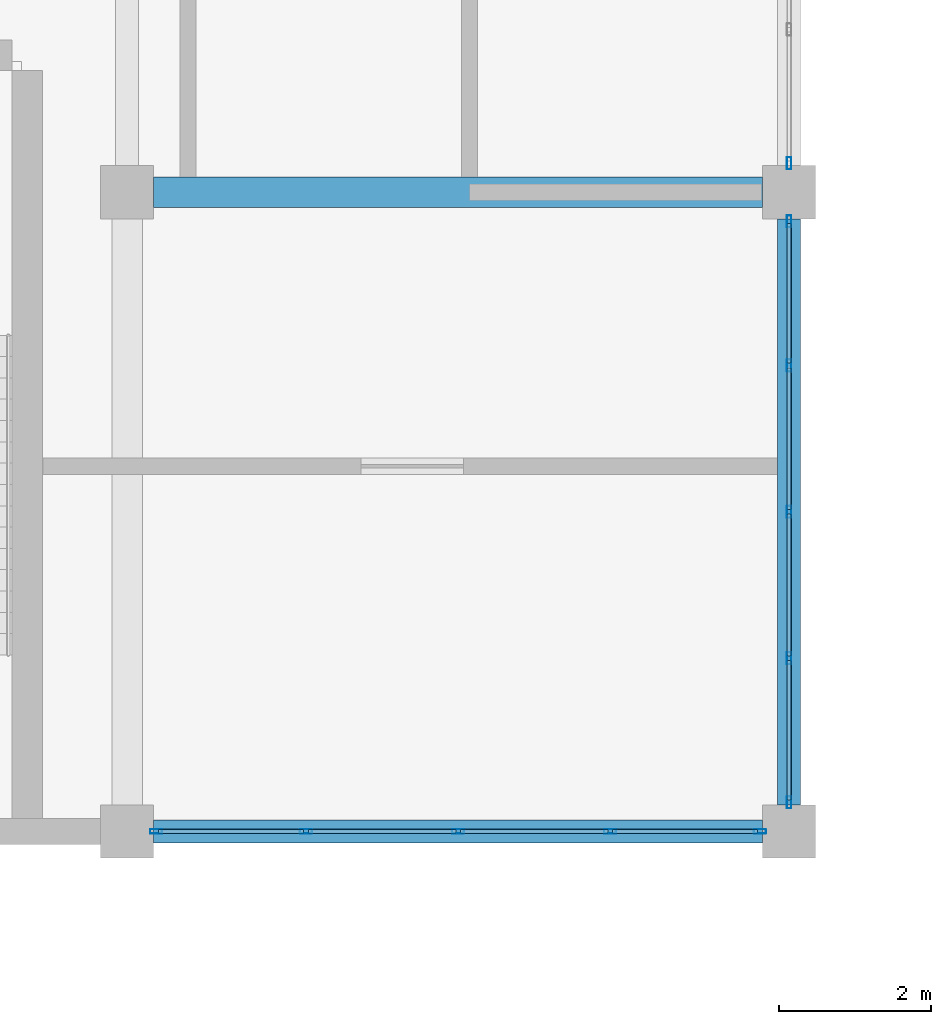
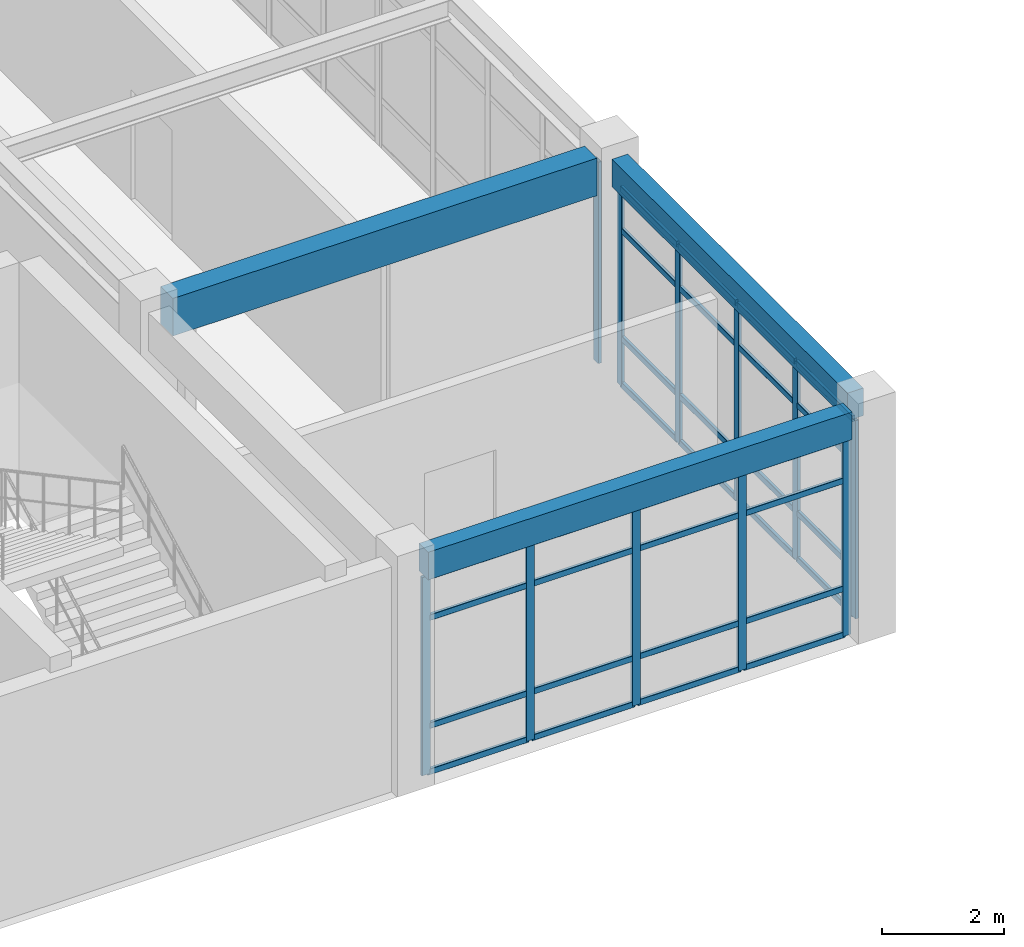
# One storey, part 28 of 76: 43 members, 3 beams, 3 elements without a shape of their own.
"""IFC4 building model written with IfcOpenShell, lengths in metres."""

import ifcopenshell
import ifcopenshell.guid

model = None  # the IFC model being written
_history = None  # IfcOwnerHistory: only IFC2X3 demands one
_inside = {}  # id of a spatial element -> (the spatial element, [elements in it])
_under = {}  # id of a project, library or spatial element -> (it, [spatial elements below it])
_declared = {}  # id of a project -> (the project, [libraries it declares])
_typed = {}  # id of a type object -> (the type object, [elements of that type])
_made_of = {}  # id of a material, layer set ... -> (it, [elements and type objects made of it])


def new_model(schema):
    """Start an empty IFC model of exactly this schema.

    Asked for "IFC4X3", IfcOpenShell would pick the latest addendum, in which some entities
    have other attributes; the version numbers below select the first issue.
    IFC2X3 requires an IfcOwnerHistory on every rooted entity: one is made here for all.
    """
    global model, _history
    if schema == "IFC4X3":
        model = ifcopenshell.file(schema_version=(4, 3, 0, 0))
    else:
        model = ifcopenshell.file(schema=schema)
    _inside.clear()
    _under.clear()
    _declared.clear()
    _typed.clear()
    _made_of.clear()
    _history = None
    if model.schema == "IFC2X3":
        org = make("IfcOrganization", Name="unknown")
        user = make(
            "IfcPersonAndOrganization",
            ThePerson=make("IfcPerson", FamilyName="unknown"),
            TheOrganization=org,
        )
        app = make(
            "IfcApplication",
            ApplicationDeveloper=org,
            Version="unknown",
            ApplicationFullName="unknown",
            ApplicationIdentifier="unknown",
        )
        _history = make(
            "IfcOwnerHistory",
            OwningUser=user,
            OwningApplication=app,
            ChangeAction="ADDED",
            CreationDate=0,
        )
    return model


def make(cls, **values):
    """One entity of the class cls with the attributes given. An attribute that is None is left unset."""
    return model.create_entity(
        cls, **{name: value for name, value in values.items() if value is not None}
    )


def rooted(cls, **values):
    """An entity with a GlobalId (a new one), such as an element, a storey or a relation."""
    return make(cls, GlobalId=ifcopenshell.guid.new(), OwnerHistory=_history, **values)


def si_unit(unit_type, name, prefix=None):
    """IfcSIUnit, for example si_unit("LENGTHUNIT", "METRE", prefix="MILLI")."""
    return make("IfcSIUnit", UnitType=unit_type, Prefix=prefix, Name=name)


def derived_unit(unit_type, elements):
    """IfcDerivedUnit: a product of units, each with its exponent."""
    return make(
        "IfcDerivedUnit",
        Elements=[
            make("IfcDerivedUnitElement", Unit=unit, Exponent=power)
            for unit, power in elements
        ],
        UnitType=unit_type,
    )


def assignment(units):
    """IfcUnitAssignment: the units of a project."""
    return None if units is None else make("IfcUnitAssignment", Units=units)


def point(xyz):
    """IfcCartesianPoint."""
    return None if xyz is None else make("IfcCartesianPoint", Coordinates=xyz)


def direction(xyz):
    """IfcDirection."""
    return None if xyz is None else make("IfcDirection", DirectionRatios=xyz)


def frame(location, z_axis=None, x_axis=None):
    """IfcAxis2Placement3D, a coordinate frame: its origin and axes. An axis left out is left unset."""
    return make(
        "IfcAxis2Placement3D",
        Location=point(location),
        Axis=direction(z_axis),
        RefDirection=direction(x_axis),
    )


def frame_2d(location, x_axis=None):
    """IfcAxis2Placement2D, a coordinate frame in the plane: its origin and x axis."""
    return make(
        "IfcAxis2Placement2D", Location=point(location), RefDirection=direction(x_axis)
    )


def origin():
    """The frame at (0, 0, 0) with its axes left unset."""
    return frame((0.0, 0.0, 0.0))


def origin_2d():
    """The frame at (0, 0) in the plane with its x axis left unset."""
    return frame_2d((0.0, 0.0))


def place(relative_to, where):
    """IfcLocalPlacement: puts the frame where relative to a parent placement (None: the world)."""
    return make(
        "IfcLocalPlacement", PlacementRelTo=relative_to, RelativePlacement=where
    )


def context(
    kind, dimensions, precision=None, world=None, true_north=None, identifier=None
):
    """IfcGeometricRepresentationContext, for example the 3D "Model" context."""
    return make(
        "IfcGeometricRepresentationContext",
        ContextIdentifier=identifier,
        ContextType=kind,
        CoordinateSpaceDimension=dimensions,
        Precision=precision,
        WorldCoordinateSystem=world,
        TrueNorth=true_north,
    )


def subcontext(parent, identifier, kind, view, scale=None):
    """IfcGeometricRepresentationSubContext, for example "Body" below "Model"."""
    return make(
        "IfcGeometricRepresentationSubContext",
        ContextIdentifier=identifier,
        ContextType=kind,
        ParentContext=parent,
        TargetScale=scale,
        TargetView=view,
    )


def project(units=None, contexts=None):
    """IfcProject with its units and contexts."""
    return rooted(
        "IfcProject",
        Name="project",
        RepresentationContexts=contexts,
        UnitsInContext=assignment(units),
    )


def spatial(cls, under=None, at=None, **own):
    """A site, building, storey or space (cls), placed at a placement, below another one or the project."""
    s = rooted(cls, ObjectPlacement=at, **own)
    if under is not None:
        _under.setdefault(under.id(), (under, []))[1].append(s)
    return s


def profile(cls, at=None, kind="AREA", **sizes):
    """A parametric profile (cls). Its sizes go by their IFC names, for example OverallWidth=200.0."""
    return make(cls, ProfileType=kind, Position=at, **sizes)


def rectangle(**sizes):
    """IfcRectangleProfileDef."""
    return profile("IfcRectangleProfileDef", **sizes)


def hollow_rectangle(**sizes):
    """IfcRectangleHollowProfileDef."""
    return profile("IfcRectangleHollowProfileDef", **sizes)


def extrude(swept, where, along, depth):
    """IfcExtrudedAreaSolid: the profile swept, set in the frame where, extruded along a direction by depth."""
    return make(
        "IfcExtrudedAreaSolid",
        SweptArea=swept,
        Position=where,
        ExtrudedDirection=direction(along),
        Depth=depth,
    )


def shape(context_of_items, identifier, shape_type, items):
    """IfcShapeRepresentation: the items that make up one representation, for example the "Body"."""
    return make(
        "IfcShapeRepresentation",
        ContextOfItems=context_of_items,
        RepresentationIdentifier=identifier,
        RepresentationType=shape_type,
        Items=items,
    )


def material(Name=None, Category=None):
    """IfcMaterial."""
    return make("IfcMaterial", Name=Name, Category=Category)


def layer(
    of_material, thickness, ventilated=None, Name=None, Category=None, Priority=None
):
    """IfcMaterialLayer: one layer of a wall or slab, of a material (None: an air gap)."""
    return make(
        "IfcMaterialLayer",
        Material=of_material,
        LayerThickness=thickness,
        IsVentilated=ventilated,
        Name=Name,
        Category=Category,
        Priority=Priority,
    )


def layer_set(layers, Name=None):
    """IfcMaterialLayerSet."""
    return make("IfcMaterialLayerSet", MaterialLayers=layers, LayerSetName=Name)


def material_profile(
    of_material, cross_section, Name=None, Category=None, Priority=None
):
    """IfcMaterialProfile: a cross section and its material."""
    return make(
        "IfcMaterialProfile",
        Name=Name,
        Material=of_material,
        Profile=cross_section,
        Priority=Priority,
        Category=Category,
    )


def profile_set(profiles, Name=None, composite=None):
    """IfcMaterialProfileSet."""
    return make(
        "IfcMaterialProfileSet",
        Name=Name,
        MaterialProfiles=profiles,
        CompositeProfile=composite,
    )


def made_of(thing, what):
    """Note that an element or type object is made of a material, layer set ...; save() writes the relation."""
    if what is not None:
        _made_of.setdefault(what.id(), (what, []))[1].append(thing)
    return thing


def type_object(cls, material=None, **own):
    """A type object (cls), such as IfcWallType, which elements share."""
    return made_of(rooted(cls, **own), material)


def element(
    cls,
    number,
    at=None,
    inside=None,
    cuts=None,
    type_object=None,
    material=None,
    context=None,
    identifier="Body",
    shape_type=None,
    held_by="IfcProductDefinitionShape",
    body=None,
    shapes=None,
    **own,
):
    """One element of the class cls, such as IfcWall. Its Tag is "e" and its number.

    at: its placement. inside: the storey or other place that contains it. cuts: it is an
    opening in that element (IfcRelVoidsElement). A single representation is given by context,
    identifier, shape_type and body (its items); several are given by shapes. held_by: the class
    of the entity that holds the representations. save() writes the other relations.
    """
    e = rooted(cls, Tag="e%d" % number, ObjectPlacement=at, **own)
    if body is not None:
        shapes = [shape(context, identifier, shape_type, body)]
    if shapes is not None:
        e.Representation = make(held_by, Representations=shapes)
    if inside is not None:
        _inside.setdefault(inside.id(), (inside, []))[1].append(e)
    if cuts is not None:
        rooted(
            "IfcRelVoidsElement", RelatingBuildingElement=cuts, RelatedOpeningElement=e
        )
    if type_object is not None:
        _typed.setdefault(type_object.id(), (type_object, []))[1].append(e)
    return made_of(e, material)


def aggregate(whole, parts):
    """IfcRelAggregates: a whole, such as a stair, and the parts it consists of."""
    return rooted("IfcRelAggregates", RelatingObject=whole, RelatedObjects=parts)


def save(model, path):
    """Write the relations noted so far, then the file.

    IfcRelAggregates (storeys below a building ...), IfcRelContainedInSpatialStructure (elements
    in a storey), IfcRelDefinesByType, IfcRelAssociatesMaterial and IfcRelDeclares: one each for
    every whole, place, type object, material and project.
    """
    for whole, parts in _under.values():
        aggregate(whole, parts)
    for where, things in _inside.values():
        rooted(
            "IfcRelContainedInSpatialStructure",
            RelatedElements=things,
            RelatingStructure=where,
        )
    for kind, things in _typed.values():
        rooted("IfcRelDefinesByType", RelatedObjects=things, RelatingType=kind)
    for what, things in _made_of.values():
        rooted("IfcRelAssociatesMaterial", RelatedObjects=things, RelatingMaterial=what)
    for by, libraries in _declared.values():
        rooted("IfcRelDeclares", RelatingContext=by, RelatedDefinitions=libraries)
    model.write(path)


model = new_model("IFC4")

# Units and contexts
model_context = context("Model", 3, precision=1e-05, world=origin(), true_north=direction((0.0, 1.0)))
body_context = subcontext(model_context, "Body", "Model", "MODEL_VIEW")
ifc_project = project(units=[si_unit("LENGTHUNIT", "METRE"), si_unit("AREAUNIT", "SQUARE_METRE"), si_unit("VOLUMEUNIT", "CUBIC_METRE"), si_unit("PLANEANGLEUNIT", "RADIAN"), si_unit("MASSUNIT", "GRAM", prefix="KILO"), derived_unit("THERMALTRANSMITTANCEUNIT", [(si_unit("MASSUNIT", "GRAM", prefix="KILO"), 1), (si_unit("TIMEUNIT", "SECOND"), -3), (si_unit("THERMODYNAMICTEMPERATUREUNIT", "KELVIN"), -1)])], contexts=[model_context])

# Site, building, storey
site_placement = place(None, origin())
site = spatial("IfcSite", under=ifc_project, at=site_placement, CompositionType="ELEMENT")
building_placement = place(site_placement, origin())
building = spatial("IfcBuilding", under=site, at=building_placement, Name="Qinzheling Arcade Emporium", CompositionType="ELEMENT")
storey_placement = place(building_placement, frame((0.0, 0.0, 26.699951171875)))
storey = spatial("IfcBuildingStorey", under=building, at=storey_placement, Name="L06", CompositionType="ELEMENT", Elevation=26.699951171875)

# Curtain wall, member
ifc_material_1 = material(Name="Anodised aluminium and solar-control double glazing", Category="aluminium")
ifc_layer = layer(ifc_material_1, 0.159912109375, Name="Anodised aluminium and solar-control double glazing", Category="aluminium")
ifc_layer_set = layer_set([ifc_layer], Name="Anodised aluminium and solar-control double glazing")
curtain_wall_type = type_object("IfcCurtainWallType", Name="Atrium Clerestory Curtain Wall", PredefinedType="NOTDEFINED", material=ifc_layer_set)
curtain_wall_1_placement = place(storey_placement, origin())
curtain_wall_1 = element("IfcCurtainWall", 1, at=curtain_wall_1_placement, inside=storey, type_object=curtain_wall_type, Name="Curtain Wall CW-L06-375", PredefinedType="NOTDEFINED")
ifc_material_2 = material(Name="Anodised aluminium 6063-T6", Category="aluminium")
ifc_material_profile_1 = material_profile(ifc_material_2, hollow_rectangle(XDim=0.06005859375, YDim=0.159912109375, WallThickness=0.00390625, InnerFilletRadius=0.00390625, OuterFilletRadius=0.008056640625, at=origin_2d()), Name="RHS 160x60x4", Category="aluminium")
ifc_profile_set_1 = profile_set([ifc_material_profile_1], Name="Anodised aluminium 6063-T6")
member_type_1 = type_object("IfcMemberType", Name="Curtain Wall Mullion RHS160x60", PredefinedType="MULLION", material=ifc_profile_set_1)
member_1_placement = place(storey_placement, frame((104.39990234375, 50.781982421875, 0.0), z_axis=(0.0, 0.0, 1.0), x_axis=(1.0, 0.0, 0.0)))
member_1 = element("IfcMember", 2, at=member_1_placement, type_object=member_type_1, Name="CW03 mullion 5", PredefinedType="MULLION", context=body_context, shape_type="SweptSolid", body=[
    extrude(hollow_rectangle(XDim=0.06005859375, YDim=0.159912109375, WallThickness=0.00390625, InnerFilletRadius=0.00390625, OuterFilletRadius=0.008056640625, at=origin_2d()), origin(), (0.0, 0.0, 1.0), 4.01708984375),
])
aggregate(curtain_wall_1, [member_1])

# Curtain wall, members
curtain_wall_2_placement = place(storey_placement, origin())
curtain_wall_2 = element("IfcCurtainWall", 3, at=curtain_wall_2_placement, inside=storey, type_object=curtain_wall_type, Name="Curtain Wall CW-L06-376", PredefinedType="NOTDEFINED")
member_2_placement = place(storey_placement, frame((104.39990234375, 50.01806640625, 0.0), z_axis=(0.0, 0.0, 1.0), x_axis=(1.0, 0.0, 0.0)))
member_2 = element("IfcMember", 4, at=member_2_placement, type_object=member_type_1, Name="CW03 mullion 1", PredefinedType="MULLION", context=body_context, shape_type="SweptSolid", body=[
    extrude(hollow_rectangle(XDim=0.06005859375, YDim=0.159912109375, WallThickness=0.00390625, InnerFilletRadius=0.00390625, OuterFilletRadius=0.008056640625, at=origin_2d()), origin(), (0.0, 0.0, 1.0), 3.955078125),
])
member_3_placement = place(storey_placement, frame((104.39990234375, 48.1240234375, 0.0), z_axis=(0.0, 0.0, 1.0), x_axis=(1.0, 0.0, 0.0)))
member_3 = element("IfcMember", 5, at=member_3_placement, type_object=member_type_1, Name="CW03 mullion 2", PredefinedType="MULLION", context=body_context, shape_type="SweptSolid", body=[
    extrude(hollow_rectangle(XDim=0.06005859375, YDim=0.159912109375, WallThickness=0.00390625, InnerFilletRadius=0.00390625, OuterFilletRadius=0.008056640625, at=origin_2d()), origin(), (0.0, 0.0, 1.0), 3.955078125),
])
member_4_placement = place(storey_placement, frame((104.39990234375, 46.199951171875, 0.0), z_axis=(0.0, 0.0, 1.0), x_axis=(1.0, 0.0, 0.0)))
member_4 = element("IfcMember", 6, at=member_4_placement, type_object=member_type_1, Name="CW03 mullion 3", PredefinedType="MULLION", context=body_context, shape_type="SweptSolid", body=[
    extrude(hollow_rectangle(XDim=0.06005859375, YDim=0.159912109375, WallThickness=0.00390625, InnerFilletRadius=0.00390625, OuterFilletRadius=0.008056640625, at=origin_2d()), origin(), (0.0, 0.0, 1.0), 3.955078125),
])
member_5_placement = place(storey_placement, frame((104.39990234375, 44.27587890625, 0.0), z_axis=(0.0, 0.0, 1.0), x_axis=(1.0, 0.0, 0.0)))
member_5 = element("IfcMember", 7, at=member_5_placement, type_object=member_type_1, Name="CW03 mullion 4", PredefinedType="MULLION", context=body_context, shape_type="SweptSolid", body=[
    extrude(hollow_rectangle(XDim=0.06005859375, YDim=0.159912109375, WallThickness=0.00390625, InnerFilletRadius=0.00390625, OuterFilletRadius=0.008056640625, at=origin_2d()), origin(), (0.0, 0.0, 1.0), 3.955078125),
])
member_6_placement = place(storey_placement, frame((104.39990234375, 42.382080078125, 0.0), z_axis=(0.0, 0.0, 1.0), x_axis=(1.0, 0.0, 0.0)))
member_6 = element("IfcMember", 8, at=member_6_placement, type_object=member_type_1, Name="CW03 mullion 5", PredefinedType="MULLION", context=body_context, shape_type="SweptSolid", body=[
    extrude(hollow_rectangle(XDim=0.06005859375, YDim=0.159912109375, WallThickness=0.00390625, InnerFilletRadius=0.00390625, OuterFilletRadius=0.008056640625, at=origin_2d()), origin(), (0.0, 0.0, 1.0), 3.955078125),
])

curtain_wall_3_placement = place(storey_placement, origin())
curtain_wall_3 = element("IfcCurtainWall", 9, at=curtain_wall_3_placement, inside=storey, type_object=curtain_wall_type, Name="Curtain Wall CW-L06-377", PredefinedType="NOTDEFINED")
member_7_placement = place(storey_placement, frame((104.01806640625, 42.0, 0.0), z_axis=(0.0, 0.0, 1.0), x_axis=(0.0, -1.0, 0.0)))
member_7 = element("IfcMember", 10, at=member_7_placement, type_object=member_type_1, Name="CW03 mullion 1", PredefinedType="MULLION", context=body_context, shape_type="SweptSolid", body=[
    extrude(hollow_rectangle(XDim=0.06005859375, YDim=0.159912109375, WallThickness=0.00390625, InnerFilletRadius=0.00390625, OuterFilletRadius=0.008056640625, at=origin_2d()), origin(), (0.0, 0.0, 1.0), 3.955078125),
])
member_8_placement = place(storey_placement, frame((102.049072265625, 42.0, 0.0), z_axis=(0.0, 0.0, 1.0), x_axis=(0.0, -1.0, 0.0)))
member_8 = element("IfcMember", 11, at=member_8_placement, type_object=member_type_1, Name="CW03 mullion 2", PredefinedType="MULLION", context=body_context, shape_type="SweptSolid", body=[
    extrude(hollow_rectangle(XDim=0.06005859375, YDim=0.159912109375, WallThickness=0.00390625, InnerFilletRadius=0.00390625, OuterFilletRadius=0.008056640625, at=origin_2d()), origin(), (0.0, 0.0, 1.0), 3.955078125),
])
member_9_placement = place(storey_placement, frame((100.050048828125, 42.0, 0.0), z_axis=(0.0, 0.0, 1.0), x_axis=(0.0, -1.0, 0.0)))
member_9 = element("IfcMember", 12, at=member_9_placement, type_object=member_type_1, Name="CW03 mullion 3", PredefinedType="MULLION", context=body_context, shape_type="SweptSolid", body=[
    extrude(hollow_rectangle(XDim=0.06005859375, YDim=0.159912109375, WallThickness=0.00390625, InnerFilletRadius=0.00390625, OuterFilletRadius=0.008056640625, at=origin_2d()), origin(), (0.0, 0.0, 1.0), 3.955078125),
])
member_10_placement = place(storey_placement, frame((98.051025390625, 42.0, 0.0), z_axis=(0.0, 0.0, 1.0), x_axis=(0.0, -1.0, 0.0)))
member_10 = element("IfcMember", 13, at=member_10_placement, type_object=member_type_1, Name="CW03 mullion 4", PredefinedType="MULLION", context=body_context, shape_type="SweptSolid", body=[
    extrude(hollow_rectangle(XDim=0.06005859375, YDim=0.159912109375, WallThickness=0.00390625, InnerFilletRadius=0.00390625, OuterFilletRadius=0.008056640625, at=origin_2d()), origin(), (0.0, 0.0, 1.0), 3.955078125),
])
member_11_placement = place(storey_placement, frame((96.08203125, 42.0, 0.0), z_axis=(0.0, 0.0, 1.0), x_axis=(0.0, -1.0, 0.0)))
member_11 = element("IfcMember", 14, at=member_11_placement, type_object=member_type_1, Name="CW03 mullion 5", PredefinedType="MULLION", context=body_context, shape_type="SweptSolid", body=[
    extrude(hollow_rectangle(XDim=0.06005859375, YDim=0.159912109375, WallThickness=0.00390625, InnerFilletRadius=0.00390625, OuterFilletRadius=0.008056640625, at=origin_2d()), origin(), (0.0, 0.0, 1.0), 3.955078125),
])

# Member
ifc_material_profile_2 = material_profile(ifc_material_2, hollow_rectangle(XDim=0.06005859375, YDim=0.1201171875, WallThickness=0.00390625, InnerFilletRadius=0.00390625, OuterFilletRadius=0.008056640625, at=origin_2d()), Name="RHS 120x60x4", Category="aluminium")
ifc_profile_set_2 = profile_set([ifc_material_profile_2], Name="Anodised aluminium 6063-T6")
member_type_2 = type_object("IfcMemberType", Name="Curtain Wall Transom RHS120x60", PredefinedType="USERDEFINED", material=ifc_profile_set_2)
member_12_placement = place(storey_placement, frame((104.39990234375, 49.988037109375, 0.030029296875), z_axis=(0.0, -1.0, 0.0), x_axis=(1.0, 0.0, 0.0)))
member_12 = element("IfcMember", 15, at=member_12_placement, type_object=member_type_2, Name="CW03 transom 1.1", ObjectType="TRANSOM", PredefinedType="USERDEFINED", context=body_context, shape_type="SweptSolid", body=[
    extrude(hollow_rectangle(XDim=0.06005859375, YDim=0.1201171875, WallThickness=0.00390625, InnerFilletRadius=0.00390625, OuterFilletRadius=0.008056640625, at=origin_2d()), origin(), (0.0, 0.0, 1.0), 1.833984375),
])

member_13_placement = place(storey_placement, frame((104.39990234375, 49.988037109375, 0.949951171875), z_axis=(0.0, -1.0, 0.0), x_axis=(1.0, 0.0, 0.0)))
member_13 = element("IfcMember", 16, at=member_13_placement, type_object=member_type_2, Name="CW03 transom 1.2", ObjectType="TRANSOM", PredefinedType="USERDEFINED", context=body_context, shape_type="SweptSolid", body=[
    extrude(hollow_rectangle(XDim=0.06005859375, YDim=0.1201171875, WallThickness=0.00390625, InnerFilletRadius=0.00390625, OuterFilletRadius=0.008056640625, at=origin_2d()), origin(), (0.0, 0.0, 1.0), 1.833984375),
])

member_14_placement = place(storey_placement, frame((104.39990234375, 49.988037109375, 3.10498046875), z_axis=(0.0, -1.0, 0.0), x_axis=(1.0, 0.0, 0.0)))
member_14 = element("IfcMember", 17, at=member_14_placement, type_object=member_type_2, Name="CW03 transom 1.3", ObjectType="TRANSOM", PredefinedType="USERDEFINED", context=body_context, shape_type="SweptSolid", body=[
    extrude(hollow_rectangle(XDim=0.06005859375, YDim=0.1201171875, WallThickness=0.00390625, InnerFilletRadius=0.00390625, OuterFilletRadius=0.008056640625, at=origin_2d()), origin(), (0.0, 0.0, 1.0), 1.833984375),
])

member_15_placement = place(storey_placement, frame((104.39990234375, 49.988037109375, 3.925048828125), z_axis=(0.0, -1.0, 0.0), x_axis=(1.0, 0.0, 0.0)))
member_15 = element("IfcMember", 18, at=member_15_placement, type_object=member_type_2, Name="CW03 transom 1.4", ObjectType="TRANSOM", PredefinedType="USERDEFINED", context=body_context, shape_type="SweptSolid", body=[
    extrude(hollow_rectangle(XDim=0.06005859375, YDim=0.1201171875, WallThickness=0.00390625, InnerFilletRadius=0.00390625, OuterFilletRadius=0.008056640625, at=origin_2d()), origin(), (0.0, 0.0, 1.0), 1.833984375),
])

member_16_placement = place(storey_placement, frame((104.39990234375, 48.093994140625, 0.030029296875), z_axis=(0.0, -1.0, 0.0), x_axis=(1.0, 0.0, 0.0)))
member_16 = element("IfcMember", 19, at=member_16_placement, type_object=member_type_2, Name="CW03 transom 2.1", ObjectType="TRANSOM", PredefinedType="USERDEFINED", context=body_context, shape_type="SweptSolid", body=[
    extrude(hollow_rectangle(XDim=0.06005859375, YDim=0.1201171875, WallThickness=0.00390625, InnerFilletRadius=0.00390625, OuterFilletRadius=0.008056640625, at=origin_2d()), origin(), (0.0, 0.0, 1.0), 1.864013671875),
])

member_17_placement = place(storey_placement, frame((104.39990234375, 48.093994140625, 0.949951171875), z_axis=(0.0, -1.0, 0.0), x_axis=(1.0, 0.0, 0.0)))
member_17 = element("IfcMember", 20, at=member_17_placement, type_object=member_type_2, Name="CW03 transom 2.2", ObjectType="TRANSOM", PredefinedType="USERDEFINED", context=body_context, shape_type="SweptSolid", body=[
    extrude(hollow_rectangle(XDim=0.06005859375, YDim=0.1201171875, WallThickness=0.00390625, InnerFilletRadius=0.00390625, OuterFilletRadius=0.008056640625, at=origin_2d()), origin(), (0.0, 0.0, 1.0), 1.864013671875),
])

member_18_placement = place(storey_placement, frame((104.39990234375, 48.093994140625, 3.10498046875), z_axis=(0.0, -1.0, 0.0), x_axis=(1.0, 0.0, 0.0)))
member_18 = element("IfcMember", 21, at=member_18_placement, type_object=member_type_2, Name="CW03 transom 2.3", ObjectType="TRANSOM", PredefinedType="USERDEFINED", context=body_context, shape_type="SweptSolid", body=[
    extrude(hollow_rectangle(XDim=0.06005859375, YDim=0.1201171875, WallThickness=0.00390625, InnerFilletRadius=0.00390625, OuterFilletRadius=0.008056640625, at=origin_2d()), origin(), (0.0, 0.0, 1.0), 1.864013671875),
])

member_19_placement = place(storey_placement, frame((104.39990234375, 48.093994140625, 3.925048828125), z_axis=(0.0, -1.0, 0.0), x_axis=(1.0, 0.0, 0.0)))
member_19 = element("IfcMember", 22, at=member_19_placement, type_object=member_type_2, Name="CW03 transom 2.4", ObjectType="TRANSOM", PredefinedType="USERDEFINED", context=body_context, shape_type="SweptSolid", body=[
    extrude(hollow_rectangle(XDim=0.06005859375, YDim=0.1201171875, WallThickness=0.00390625, InnerFilletRadius=0.00390625, OuterFilletRadius=0.008056640625, at=origin_2d()), origin(), (0.0, 0.0, 1.0), 1.864013671875),
])

member_20_placement = place(storey_placement, frame((104.39990234375, 46.169921875, 0.030029296875), z_axis=(0.0, -1.0, 0.0), x_axis=(1.0, 0.0, 0.0)))
member_20 = element("IfcMember", 23, at=member_20_placement, type_object=member_type_2, Name="CW03 transom 3.1", ObjectType="TRANSOM", PredefinedType="USERDEFINED", context=body_context, shape_type="SweptSolid", body=[
    extrude(hollow_rectangle(XDim=0.06005859375, YDim=0.1201171875, WallThickness=0.00390625, InnerFilletRadius=0.00390625, OuterFilletRadius=0.008056640625, at=origin_2d()), origin(), (0.0, 0.0, 1.0), 1.864013671875),
])

member_21_placement = place(storey_placement, frame((104.39990234375, 46.169921875, 0.949951171875), z_axis=(0.0, -1.0, 0.0), x_axis=(1.0, 0.0, 0.0)))
member_21 = element("IfcMember", 24, at=member_21_placement, type_object=member_type_2, Name="CW03 transom 3.2", ObjectType="TRANSOM", PredefinedType="USERDEFINED", context=body_context, shape_type="SweptSolid", body=[
    extrude(hollow_rectangle(XDim=0.06005859375, YDim=0.1201171875, WallThickness=0.00390625, InnerFilletRadius=0.00390625, OuterFilletRadius=0.008056640625, at=origin_2d()), origin(), (0.0, 0.0, 1.0), 1.864013671875),
])

member_22_placement = place(storey_placement, frame((104.39990234375, 46.169921875, 3.10498046875), z_axis=(0.0, -1.0, 0.0), x_axis=(1.0, 0.0, 0.0)))
member_22 = element("IfcMember", 25, at=member_22_placement, type_object=member_type_2, Name="CW03 transom 3.3", ObjectType="TRANSOM", PredefinedType="USERDEFINED", context=body_context, shape_type="SweptSolid", body=[
    extrude(hollow_rectangle(XDim=0.06005859375, YDim=0.1201171875, WallThickness=0.00390625, InnerFilletRadius=0.00390625, OuterFilletRadius=0.008056640625, at=origin_2d()), origin(), (0.0, 0.0, 1.0), 1.864013671875),
])

member_23_placement = place(storey_placement, frame((104.39990234375, 46.169921875, 3.925048828125), z_axis=(0.0, -1.0, 0.0), x_axis=(1.0, 0.0, 0.0)))
member_23 = element("IfcMember", 26, at=member_23_placement, type_object=member_type_2, Name="CW03 transom 3.4", ObjectType="TRANSOM", PredefinedType="USERDEFINED", context=body_context, shape_type="SweptSolid", body=[
    extrude(hollow_rectangle(XDim=0.06005859375, YDim=0.1201171875, WallThickness=0.00390625, InnerFilletRadius=0.00390625, OuterFilletRadius=0.008056640625, at=origin_2d()), origin(), (0.0, 0.0, 1.0), 1.864013671875),
])

member_24_placement = place(storey_placement, frame((104.39990234375, 44.24609375, 0.030029296875), z_axis=(0.0, -1.0, 0.0), x_axis=(1.0, 0.0, 0.0)))
member_24 = element("IfcMember", 27, at=member_24_placement, type_object=member_type_2, Name="CW03 transom 4.1", ObjectType="TRANSOM", PredefinedType="USERDEFINED", context=body_context, shape_type="SweptSolid", body=[
    extrude(hollow_rectangle(XDim=0.06005859375, YDim=0.1201171875, WallThickness=0.00390625, InnerFilletRadius=0.00390625, OuterFilletRadius=0.008056640625, at=origin_2d()), origin(), (0.0, 0.0, 1.0), 1.833984375),
])

member_25_placement = place(storey_placement, frame((104.39990234375, 44.24609375, 0.949951171875), z_axis=(0.0, -1.0, 0.0), x_axis=(1.0, 0.0, 0.0)))
member_25 = element("IfcMember", 28, at=member_25_placement, type_object=member_type_2, Name="CW03 transom 4.2", ObjectType="TRANSOM", PredefinedType="USERDEFINED", context=body_context, shape_type="SweptSolid", body=[
    extrude(hollow_rectangle(XDim=0.06005859375, YDim=0.1201171875, WallThickness=0.00390625, InnerFilletRadius=0.00390625, OuterFilletRadius=0.008056640625, at=origin_2d()), origin(), (0.0, 0.0, 1.0), 1.833984375),
])

member_26_placement = place(storey_placement, frame((104.39990234375, 44.24609375, 3.10498046875), z_axis=(0.0, -1.0, 0.0), x_axis=(1.0, 0.0, 0.0)))
member_26 = element("IfcMember", 29, at=member_26_placement, type_object=member_type_2, Name="CW03 transom 4.3", ObjectType="TRANSOM", PredefinedType="USERDEFINED", context=body_context, shape_type="SweptSolid", body=[
    extrude(hollow_rectangle(XDim=0.06005859375, YDim=0.1201171875, WallThickness=0.00390625, InnerFilletRadius=0.00390625, OuterFilletRadius=0.008056640625, at=origin_2d()), origin(), (0.0, 0.0, 1.0), 1.833984375),
])

member_27_placement = place(storey_placement, frame((104.39990234375, 44.24609375, 3.925048828125), z_axis=(0.0, -1.0, 0.0), x_axis=(1.0, 0.0, 0.0)))
member_27 = element("IfcMember", 30, at=member_27_placement, type_object=member_type_2, Name="CW03 transom 4.4", ObjectType="TRANSOM", PredefinedType="USERDEFINED", context=body_context, shape_type="SweptSolid", body=[
    extrude(hollow_rectangle(XDim=0.06005859375, YDim=0.1201171875, WallThickness=0.00390625, InnerFilletRadius=0.00390625, OuterFilletRadius=0.008056640625, at=origin_2d()), origin(), (0.0, 0.0, 1.0), 1.833984375),
])

aggregate(curtain_wall_2, [member_2, member_3, member_4, member_5, member_6, member_12, member_13, member_14, member_15, member_16, member_17, member_18, member_19, member_20, member_21, member_22, member_23, member_24, member_25, member_26, member_27])

member_28_placement = place(storey_placement, frame((103.988037109375, 42.0, 0.030029296875), z_axis=(-1.0, 0.0, 0.0), x_axis=(0.0, -1.0, 0.0)))
member_28 = element("IfcMember", 31, at=member_28_placement, type_object=member_type_2, Name="CW03 transom 1.1", ObjectType="TRANSOM", PredefinedType="USERDEFINED", context=body_context, shape_type="SweptSolid", body=[
    extrude(hollow_rectangle(XDim=0.06005859375, YDim=0.1201171875, WallThickness=0.00390625, InnerFilletRadius=0.00390625, OuterFilletRadius=0.008056640625, at=origin_2d()), origin(), (0.0, 0.0, 1.0), 1.908935546875),
])

member_29_placement = place(storey_placement, frame((103.988037109375, 42.0, 0.949951171875), z_axis=(-1.0, 0.0, 0.0), x_axis=(0.0, -1.0, 0.0)))
member_29 = element("IfcMember", 32, at=member_29_placement, type_object=member_type_2, Name="CW03 transom 1.2", ObjectType="TRANSOM", PredefinedType="USERDEFINED", context=body_context, shape_type="SweptSolid", body=[
    extrude(hollow_rectangle(XDim=0.06005859375, YDim=0.1201171875, WallThickness=0.00390625, InnerFilletRadius=0.00390625, OuterFilletRadius=0.008056640625, at=origin_2d()), origin(), (0.0, 0.0, 1.0), 1.908935546875),
])

member_30_placement = place(storey_placement, frame((103.988037109375, 42.0, 3.10498046875), z_axis=(-1.0, 0.0, 0.0), x_axis=(0.0, -1.0, 0.0)))
member_30 = element("IfcMember", 33, at=member_30_placement, type_object=member_type_2, Name="CW03 transom 1.3", ObjectType="TRANSOM", PredefinedType="USERDEFINED", context=body_context, shape_type="SweptSolid", body=[
    extrude(hollow_rectangle(XDim=0.06005859375, YDim=0.1201171875, WallThickness=0.00390625, InnerFilletRadius=0.00390625, OuterFilletRadius=0.008056640625, at=origin_2d()), origin(), (0.0, 0.0, 1.0), 1.908935546875),
])

member_31_placement = place(storey_placement, frame((103.988037109375, 42.0, 3.925048828125), z_axis=(-1.0, 0.0, 0.0), x_axis=(0.0, -1.0, 0.0)))
member_31 = element("IfcMember", 34, at=member_31_placement, type_object=member_type_2, Name="CW03 transom 1.4", ObjectType="TRANSOM", PredefinedType="USERDEFINED", context=body_context, shape_type="SweptSolid", body=[
    extrude(hollow_rectangle(XDim=0.06005859375, YDim=0.1201171875, WallThickness=0.00390625, InnerFilletRadius=0.00390625, OuterFilletRadius=0.008056640625, at=origin_2d()), origin(), (0.0, 0.0, 1.0), 1.908935546875),
])

member_32_placement = place(storey_placement, frame((102.01904296875, 42.0, 0.030029296875), z_axis=(-1.0, 0.0, 0.0), x_axis=(0.0, -1.0, 0.0)))
member_32 = element("IfcMember", 35, at=member_32_placement, type_object=member_type_2, Name="CW03 transom 2.1", ObjectType="TRANSOM", PredefinedType="USERDEFINED", context=body_context, shape_type="SweptSolid", body=[
    extrude(hollow_rectangle(XDim=0.06005859375, YDim=0.1201171875, WallThickness=0.00390625, InnerFilletRadius=0.00390625, OuterFilletRadius=0.008056640625, at=origin_2d()), origin(), (0.0, 0.0, 1.0), 1.93896484375),
])

member_33_placement = place(storey_placement, frame((102.01904296875, 42.0, 0.949951171875), z_axis=(-1.0, 0.0, 0.0), x_axis=(0.0, -1.0, 0.0)))
member_33 = element("IfcMember", 36, at=member_33_placement, type_object=member_type_2, Name="CW03 transom 2.2", ObjectType="TRANSOM", PredefinedType="USERDEFINED", context=body_context, shape_type="SweptSolid", body=[
    extrude(hollow_rectangle(XDim=0.06005859375, YDim=0.1201171875, WallThickness=0.00390625, InnerFilletRadius=0.00390625, OuterFilletRadius=0.008056640625, at=origin_2d()), origin(), (0.0, 0.0, 1.0), 1.93896484375),
])

member_34_placement = place(storey_placement, frame((102.01904296875, 42.0, 3.10498046875), z_axis=(-1.0, 0.0, 0.0), x_axis=(0.0, -1.0, 0.0)))
member_34 = element("IfcMember", 37, at=member_34_placement, type_object=member_type_2, Name="CW03 transom 2.3", ObjectType="TRANSOM", PredefinedType="USERDEFINED", context=body_context, shape_type="SweptSolid", body=[
    extrude(hollow_rectangle(XDim=0.06005859375, YDim=0.1201171875, WallThickness=0.00390625, InnerFilletRadius=0.00390625, OuterFilletRadius=0.008056640625, at=origin_2d()), origin(), (0.0, 0.0, 1.0), 1.93896484375),
])

member_35_placement = place(storey_placement, frame((102.01904296875, 42.0, 3.925048828125), z_axis=(-1.0, 0.0, 0.0), x_axis=(0.0, -1.0, 0.0)))
member_35 = element("IfcMember", 38, at=member_35_placement, type_object=member_type_2, Name="CW03 transom 2.4", ObjectType="TRANSOM", PredefinedType="USERDEFINED", context=body_context, shape_type="SweptSolid", body=[
    extrude(hollow_rectangle(XDim=0.06005859375, YDim=0.1201171875, WallThickness=0.00390625, InnerFilletRadius=0.00390625, OuterFilletRadius=0.008056640625, at=origin_2d()), origin(), (0.0, 0.0, 1.0), 1.93896484375),
])

member_36_placement = place(storey_placement, frame((100.02001953125, 42.0, 0.030029296875), z_axis=(-1.0, 0.0, 0.0), x_axis=(0.0, -1.0, 0.0)))
member_36 = element("IfcMember", 39, at=member_36_placement, type_object=member_type_2, Name="CW03 transom 3.1", ObjectType="TRANSOM", PredefinedType="USERDEFINED", context=body_context, shape_type="SweptSolid", body=[
    extrude(hollow_rectangle(XDim=0.06005859375, YDim=0.1201171875, WallThickness=0.00390625, InnerFilletRadius=0.00390625, OuterFilletRadius=0.008056640625, at=origin_2d()), origin(), (0.0, 0.0, 1.0), 1.93896484375),
])

member_37_placement = place(storey_placement, frame((100.02001953125, 42.0, 0.949951171875), z_axis=(-1.0, 0.0, 0.0), x_axis=(0.0, -1.0, 0.0)))
member_37 = element("IfcMember", 40, at=member_37_placement, type_object=member_type_2, Name="CW03 transom 3.2", ObjectType="TRANSOM", PredefinedType="USERDEFINED", context=body_context, shape_type="SweptSolid", body=[
    extrude(hollow_rectangle(XDim=0.06005859375, YDim=0.1201171875, WallThickness=0.00390625, InnerFilletRadius=0.00390625, OuterFilletRadius=0.008056640625, at=origin_2d()), origin(), (0.0, 0.0, 1.0), 1.93896484375),
])

member_38_placement = place(storey_placement, frame((100.02001953125, 42.0, 3.10498046875), z_axis=(-1.0, 0.0, 0.0), x_axis=(0.0, -1.0, 0.0)))
member_38 = element("IfcMember", 41, at=member_38_placement, type_object=member_type_2, Name="CW03 transom 3.3", ObjectType="TRANSOM", PredefinedType="USERDEFINED", context=body_context, shape_type="SweptSolid", body=[
    extrude(hollow_rectangle(XDim=0.06005859375, YDim=0.1201171875, WallThickness=0.00390625, InnerFilletRadius=0.00390625, OuterFilletRadius=0.008056640625, at=origin_2d()), origin(), (0.0, 0.0, 1.0), 1.93896484375),
])

member_39_placement = place(storey_placement, frame((100.02001953125, 42.0, 3.925048828125), z_axis=(-1.0, 0.0, 0.0), x_axis=(0.0, -1.0, 0.0)))
member_39 = element("IfcMember", 42, at=member_39_placement, type_object=member_type_2, Name="CW03 transom 3.4", ObjectType="TRANSOM", PredefinedType="USERDEFINED", context=body_context, shape_type="SweptSolid", body=[
    extrude(hollow_rectangle(XDim=0.06005859375, YDim=0.1201171875, WallThickness=0.00390625, InnerFilletRadius=0.00390625, OuterFilletRadius=0.008056640625, at=origin_2d()), origin(), (0.0, 0.0, 1.0), 1.93896484375),
])

member_40_placement = place(storey_placement, frame((98.02099609375, 42.0, 0.030029296875), z_axis=(-1.0, 0.0, 0.0), x_axis=(0.0, -1.0, 0.0)))
member_40 = element("IfcMember", 43, at=member_40_placement, type_object=member_type_2, Name="CW03 transom 4.1", ObjectType="TRANSOM", PredefinedType="USERDEFINED", context=body_context, shape_type="SweptSolid", body=[
    extrude(hollow_rectangle(XDim=0.06005859375, YDim=0.1201171875, WallThickness=0.00390625, InnerFilletRadius=0.00390625, OuterFilletRadius=0.008056640625, at=origin_2d()), origin(), (0.0, 0.0, 1.0), 1.908935546875),
])

member_41_placement = place(storey_placement, frame((98.02099609375, 42.0, 0.949951171875), z_axis=(-1.0, 0.0, 0.0), x_axis=(0.0, -1.0, 0.0)))
member_41 = element("IfcMember", 44, at=member_41_placement, type_object=member_type_2, Name="CW03 transom 4.2", ObjectType="TRANSOM", PredefinedType="USERDEFINED", context=body_context, shape_type="SweptSolid", body=[
    extrude(hollow_rectangle(XDim=0.06005859375, YDim=0.1201171875, WallThickness=0.00390625, InnerFilletRadius=0.00390625, OuterFilletRadius=0.008056640625, at=origin_2d()), origin(), (0.0, 0.0, 1.0), 1.908935546875),
])

member_42_placement = place(storey_placement, frame((98.02099609375, 42.0, 3.10498046875), z_axis=(-1.0, 0.0, 0.0), x_axis=(0.0, -1.0, 0.0)))
member_42 = element("IfcMember", 45, at=member_42_placement, type_object=member_type_2, Name="CW03 transom 4.3", ObjectType="TRANSOM", PredefinedType="USERDEFINED", context=body_context, shape_type="SweptSolid", body=[
    extrude(hollow_rectangle(XDim=0.06005859375, YDim=0.1201171875, WallThickness=0.00390625, InnerFilletRadius=0.00390625, OuterFilletRadius=0.008056640625, at=origin_2d()), origin(), (0.0, 0.0, 1.0), 1.908935546875),
])

member_43_placement = place(storey_placement, frame((98.02099609375, 42.0, 3.925048828125), z_axis=(-1.0, 0.0, 0.0), x_axis=(0.0, -1.0, 0.0)))
member_43 = element("IfcMember", 46, at=member_43_placement, type_object=member_type_2, Name="CW03 transom 4.4", ObjectType="TRANSOM", PredefinedType="USERDEFINED", context=body_context, shape_type="SweptSolid", body=[
    extrude(hollow_rectangle(XDim=0.06005859375, YDim=0.1201171875, WallThickness=0.00390625, InnerFilletRadius=0.00390625, OuterFilletRadius=0.008056640625, at=origin_2d()), origin(), (0.0, 0.0, 1.0), 1.908935546875),
])

aggregate(curtain_wall_3, [member_7, member_8, member_9, member_10, member_11, member_28, member_29, member_30, member_31, member_32, member_33, member_34, member_35, member_36, member_37, member_38, member_39, member_40, member_41, member_42, member_43])

# Beams
ifc_material_3 = material(Name="Concrete C40", Category="concrete")
ifc_material_profile_3 = material_profile(ifc_material_3, rectangle(XDim=0.39990234375, YDim=0.75, at=origin_2d()), Name="RC 400x750", Category="concrete")
ifc_profile_set_3 = profile_set([ifc_material_profile_3], Name="Concrete C40")
beam_type_1 = type_object("IfcBeamType", Name="RC Interior Tie Beam 400x750 C40", PredefinedType="BEAM", material=ifc_profile_set_3)
beam_1_placement = place(storey_placement, frame((96.050048828125, 50.39990234375, 4.14501953125), z_axis=(1.0, 0.0, 0.0), x_axis=(0.0, 1.0, 0.0)))
element("IfcBeam", 47, at=beam_1_placement, inside=storey, type_object=beam_type_1, Name="Beam BM-L06-X-G-12", PredefinedType="BEAM", context=body_context, shape_type="SweptSolid", body=[
    extrude(rectangle(XDim=0.39990234375, YDim=0.75, at=origin_2d()), origin(), (0.0, 0.0, 1.0), 8.0),
])
ifc_material_profile_4 = material_profile(ifc_material_3, rectangle(XDim=0.300048828125, YDim=0.550048828125, at=origin_2d()), Name="RC 300x550", Category="concrete")
ifc_profile_set_4 = profile_set([ifc_material_profile_4], Name="Concrete C40")
beam_type_2 = type_object("IfcBeamType", Name="RC Terrace Spandrel Beam 300x550 C40", PredefinedType="SPANDREL", material=ifc_profile_set_4)
beam_2_placement = place(storey_placement, frame((96.050048828125, 42.0, 4.2451171875), z_axis=(1.0, 0.0, 0.0), x_axis=(0.0, 1.0, 0.0)))
element("IfcBeam", 48, at=beam_2_placement, inside=storey, type_object=beam_type_2, Name="Beam BM-L06-X-F-12", PredefinedType="SPANDREL", context=body_context, shape_type="SweptSolid", body=[
    extrude(rectangle(XDim=0.300048828125, YDim=0.550048828125, at=origin_2d()), origin(), (0.0, 0.0, 1.0), 8.0),
])
beam_3_placement = place(storey_placement, frame((104.39990234375, 42.35009765625, 4.2451171875), z_axis=(0.0, 1.0, 0.0), x_axis=(-1.0, 0.0, 0.0)))
element("IfcBeam", 49, at=beam_3_placement, inside=storey, type_object=beam_type_2, Name="Beam BM-L06-Y-13-F", PredefinedType="SPANDREL", context=body_context, shape_type="SweptSolid", body=[
    extrude(rectangle(XDim=0.300048828125, YDim=0.550048828125, at=origin_2d()), origin(), (0.0, 0.0, 1.0), 7.699951171875),
])

save(model, "model.ifc")
